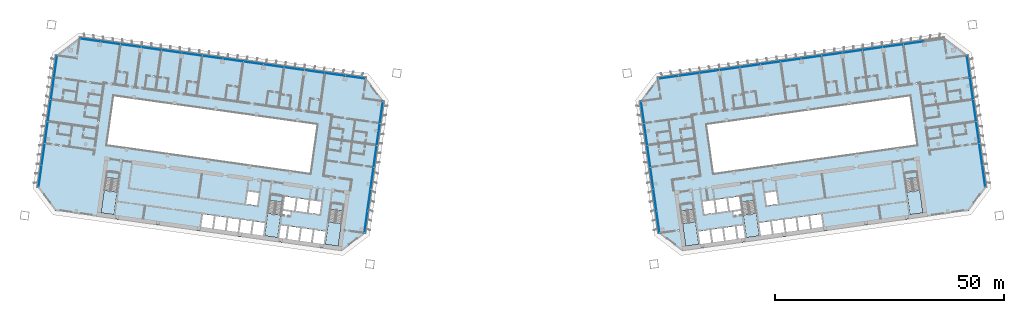
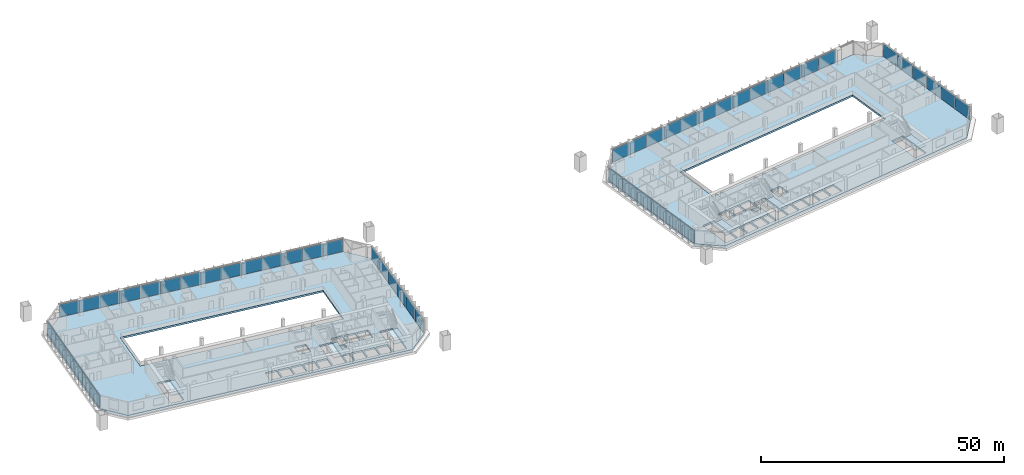
# One storey, part 12 of 25: 51 plates, 8 slabs, 12 elements without a shape of their own.
"""IFC4 building model written with IfcOpenShell, lengths in metres."""

from ifc_helpers import new_model, si_unit, direction, frame, origin, origin_2d, place, context, subcontext, project, spatial, polyline, rectangle, outline, extrude, material, layer, layer_set, type_object, element, aggregate, save


model = new_model("IFC4")

# Units and contexts
model_context = context("Model", 3, precision=1e-05, world=origin(), true_north=direction((0.0, 1.0)))
body_context = subcontext(model_context, "Body", "Model", "MODEL_VIEW")
ifc_project = project(units=[si_unit("LENGTHUNIT", "METRE"), si_unit("AREAUNIT", "SQUARE_METRE"), si_unit("VOLUMEUNIT", "CUBIC_METRE"), si_unit("PLANEANGLEUNIT", "RADIAN"), si_unit("MASSUNIT", "GRAM", prefix="KILO")], contexts=[model_context])

# Site, building, storey
site_placement = place(None, origin())
site = spatial("IfcSite", under=ifc_project, at=site_placement, CompositionType="ELEMENT")
building_placement = place(site_placement, origin())
building = spatial("IfcBuilding", under=site, at=building_placement, Name="Mirante Cascada Hotel Towers", CompositionType="ELEMENT")
storey_placement = place(building_placement, frame((0.0, 0.0, 73.7)))
storey = spatial("IfcBuildingStorey", under=building, at=storey_placement, Name="L15", CompositionType="ELEMENT", Elevation=73.7)

# Curtain wall, plates
ifc_material_1 = material(Name="Aluminium mullion and transom frame with clear laminated glass", Category="aluminium")
curtain_wall_type_1 = type_object("IfcCurtainWallType", Name="Ribbon curtain wall ECW1", PredefinedType="NOTDEFINED", material=ifc_material_1)
curtain_wall_1_placement = place(storey_placement, origin())
curtain_wall_1 = element("IfcCurtainWall", 1, at=curtain_wall_1_placement, inside=storey, type_object=curtain_wall_type_1, Name="Front ribbon wall T1 L15", PredefinedType="NOTDEFINED")
ifc_material_2 = material(Name="Clear laminated glass", Category="glass")
ifc_layer_1 = layer(ifc_material_2, 0.036)
ifc_layer_set_1 = layer_set([ifc_layer_1], Name="ECW1 glass panel 36")
plate_type_1 = type_object("IfcPlateType", Name="ECW1 glass panel 36", PredefinedType="CURTAIN_PANEL", material=ifc_layer_set_1)
plate_1_placement = place(storey_placement, frame((-91.9184, 25.7373, 0.1), z_axis=(0.0, 0.0, 1.0), x_axis=(0.9902681, -0.1391731, 0.0)))
plate_1 = element("IfcPlate", 2, at=plate_1_placement, type_object=plate_type_1, Name="ECW1 panel 1", PredefinedType="CURTAIN_PANEL", context=body_context, shape_type="SweptSolid", body=[
    extrude(rectangle(XDim=4.3936, YDim=0.036, at=origin_2d()), origin(), (0.0, 0.0, 1.0), 3.15),
])
plate_2_placement = place(storey_placement, frame((-87.487, 25.1145, 0.1), z_axis=(0.0, 0.0, 1.0), x_axis=(0.9902681, -0.1391731, 0.0)))
plate_2 = element("IfcPlate", 3, at=plate_2_placement, type_object=plate_type_1, Name="ECW1 panel 2", PredefinedType="CURTAIN_PANEL", context=body_context, shape_type="SweptSolid", body=[
    extrude(rectangle(XDim=4.4261, YDim=0.036, at=origin_2d()), origin(), (0.0, 0.0, 1.0), 3.15),
])
plate_3_placement = place(storey_placement, frame((-83.0396, 24.4895, 0.1), z_axis=(0.0, 0.0, 1.0), x_axis=(0.9902681, -0.1391731, 0.0)))
plate_3 = element("IfcPlate", 4, at=plate_3_placement, type_object=plate_type_1, Name="ECW1 panel 3", PredefinedType="CURTAIN_PANEL", context=body_context, shape_type="SweptSolid", body=[
    extrude(rectangle(XDim=4.4261, YDim=0.036, at=origin_2d()), origin(), (0.0, 0.0, 1.0), 3.15),
])
plate_4_placement = place(storey_placement, frame((-78.5922, 23.8644, 0.1), z_axis=(0.0, 0.0, 1.0), x_axis=(0.9902681, -0.1391731, 0.0)))
plate_4 = element("IfcPlate", 5, at=plate_4_placement, type_object=plate_type_1, Name="ECW1 panel 4", PredefinedType="CURTAIN_PANEL", context=body_context, shape_type="SweptSolid", body=[
    extrude(rectangle(XDim=4.4261, YDim=0.036, at=origin_2d()), origin(), (0.0, 0.0, 1.0), 3.15),
])
plate_5_placement = place(storey_placement, frame((-74.1448, 23.2394, 0.1), z_axis=(0.0, 0.0, 1.0), x_axis=(0.9902681, -0.1391731, 0.0)))
plate_5 = element("IfcPlate", 6, at=plate_5_placement, type_object=plate_type_1, Name="ECW1 panel 5", PredefinedType="CURTAIN_PANEL", context=body_context, shape_type="SweptSolid", body=[
    extrude(rectangle(XDim=4.4261, YDim=0.036, at=origin_2d()), origin(), (0.0, 0.0, 1.0), 3.15),
])
plate_6_placement = place(storey_placement, frame((-69.6974, 22.6144, 0.1), z_axis=(0.0, 0.0, 1.0), x_axis=(0.9902681, -0.1391731, 0.0)))
plate_6 = element("IfcPlate", 7, at=plate_6_placement, type_object=plate_type_1, Name="ECW1 panel 6", PredefinedType="CURTAIN_PANEL", context=body_context, shape_type="SweptSolid", body=[
    extrude(rectangle(XDim=4.4261, YDim=0.036, at=origin_2d()), origin(), (0.0, 0.0, 1.0), 3.15),
])
plate_7_placement = place(storey_placement, frame((-65.2499, 21.9893, 0.1), z_axis=(0.0, 0.0, 1.0), x_axis=(0.9902681, -0.1391731, 0.0)))
plate_7 = element("IfcPlate", 8, at=plate_7_placement, type_object=plate_type_1, Name="ECW1 panel 7", PredefinedType="CURTAIN_PANEL", context=body_context, shape_type="SweptSolid", body=[
    extrude(rectangle(XDim=4.4261, YDim=0.036, at=origin_2d()), origin(), (0.0, 0.0, 1.0), 3.15),
])
plate_8_placement = place(storey_placement, frame((-60.8025, 21.3643, 0.1), z_axis=(0.0, 0.0, 1.0), x_axis=(0.9902681, -0.1391731, 0.0)))
plate_8 = element("IfcPlate", 9, at=plate_8_placement, type_object=plate_type_1, Name="ECW1 panel 8", PredefinedType="CURTAIN_PANEL", context=body_context, shape_type="SweptSolid", body=[
    extrude(rectangle(XDim=4.4261, YDim=0.036, at=origin_2d()), origin(), (0.0, 0.0, 1.0), 3.15),
])
plate_9_placement = place(storey_placement, frame((-56.3551, 20.7392, 0.1), z_axis=(0.0, 0.0, 1.0), x_axis=(0.9902681, -0.1391731, 0.0)))
plate_9 = element("IfcPlate", 10, at=plate_9_placement, type_object=plate_type_1, Name="ECW1 panel 9", PredefinedType="CURTAIN_PANEL", context=body_context, shape_type="SweptSolid", body=[
    extrude(rectangle(XDim=4.4261, YDim=0.036, at=origin_2d()), origin(), (0.0, 0.0, 1.0), 3.15),
])
plate_10_placement = place(storey_placement, frame((-51.9077, 20.1142, 0.1), z_axis=(0.0, 0.0, 1.0), x_axis=(0.9902681, -0.1391731, 0.0)))
plate_10 = element("IfcPlate", 11, at=plate_10_placement, type_object=plate_type_1, Name="ECW1 panel 10", PredefinedType="CURTAIN_PANEL", context=body_context, shape_type="SweptSolid", body=[
    extrude(rectangle(XDim=4.4261, YDim=0.036, at=origin_2d()), origin(), (0.0, 0.0, 1.0), 3.15),
])
plate_11_placement = place(storey_placement, frame((-47.4603, 19.4891, 0.1), z_axis=(0.0, 0.0, 1.0), x_axis=(0.9902681, -0.1391731, 0.0)))
plate_11 = element("IfcPlate", 12, at=plate_11_placement, type_object=plate_type_1, Name="ECW1 panel 11", PredefinedType="CURTAIN_PANEL", context=body_context, shape_type="SweptSolid", body=[
    extrude(rectangle(XDim=4.4261, YDim=0.036, at=origin_2d()), origin(), (0.0, 0.0, 1.0), 3.15),
])
plate_12_placement = place(storey_placement, frame((-43.0129, 18.8641, 0.1), z_axis=(0.0, 0.0, 1.0), x_axis=(0.9902681, -0.1391731, 0.0)))
plate_12 = element("IfcPlate", 13, at=plate_12_placement, type_object=plate_type_1, Name="ECW1 panel 12", PredefinedType="CURTAIN_PANEL", context=body_context, shape_type="SweptSolid", body=[
    extrude(rectangle(XDim=4.4261, YDim=0.036, at=origin_2d()), origin(), (0.0, 0.0, 1.0), 3.15),
])
plate_13_placement = place(storey_placement, frame((-38.5654, 18.239, 0.1), z_axis=(0.0, 0.0, 1.0), x_axis=(0.9902681, -0.1391731, 0.0)))
plate_13 = element("IfcPlate", 14, at=plate_13_placement, type_object=plate_type_1, Name="ECW1 panel 13", PredefinedType="CURTAIN_PANEL", context=body_context, shape_type="SweptSolid", body=[
    extrude(rectangle(XDim=4.4261, YDim=0.036, at=origin_2d()), origin(), (0.0, 0.0, 1.0), 3.15),
])
plate_14_placement = place(storey_placement, frame((-34.1341, 17.6163, 0.1), z_axis=(0.0, 0.0, 1.0), x_axis=(0.9902681, -0.1391731, 0.0)))
plate_14 = element("IfcPlate", 15, at=plate_14_placement, type_object=plate_type_1, Name="ECW1 panel 14", PredefinedType="CURTAIN_PANEL", context=body_context, shape_type="SweptSolid", body=[
    extrude(rectangle(XDim=4.3936, YDim=0.036, at=origin_2d()), origin(), (0.0, 0.0, 1.0), 3.15),
])
aggregate(curtain_wall_1, [plate_1, plate_2, plate_3, plate_4, plate_5, plate_6, plate_7, plate_8, plate_9, plate_10, plate_11, plate_12, plate_13, plate_14])

curtain_wall_2_placement = place(storey_placement, origin())
curtain_wall_2 = element("IfcCurtainWall", 16, at=curtain_wall_2_placement, inside=storey, type_object=curtain_wall_type_1, Name="Front ribbon wall T2 L15", PredefinedType="NOTDEFINED")
plate_15_placement = place(storey_placement, frame((87.487, 25.1145, 0.1), z_axis=(0.0, 0.0, 1.0), x_axis=(-0.9902681, -0.1391731, 0.0)))
plate_15 = element("IfcPlate", 17, at=plate_15_placement, type_object=plate_type_1, Name="ECW1 panel 2", PredefinedType="CURTAIN_PANEL", context=body_context, shape_type="SweptSolid", body=[
    extrude(rectangle(XDim=4.4261, YDim=0.036, at=origin_2d()), origin(), (0.0, 0.0, 1.0), 3.15),
])
plate_16_placement = place(storey_placement, frame((83.0396, 24.4895, 0.1), z_axis=(0.0, 0.0, 1.0), x_axis=(-0.9902681, -0.1391731, 0.0)))
plate_16 = element("IfcPlate", 18, at=plate_16_placement, type_object=plate_type_1, Name="ECW1 panel 3", PredefinedType="CURTAIN_PANEL", context=body_context, shape_type="SweptSolid", body=[
    extrude(rectangle(XDim=4.4261, YDim=0.036, at=origin_2d()), origin(), (0.0, 0.0, 1.0), 3.15),
])
plate_17_placement = place(storey_placement, frame((78.5922, 23.8644, 0.1), z_axis=(0.0, 0.0, 1.0), x_axis=(-0.9902681, -0.1391731, 0.0)))
plate_17 = element("IfcPlate", 19, at=plate_17_placement, type_object=plate_type_1, Name="ECW1 panel 4", PredefinedType="CURTAIN_PANEL", context=body_context, shape_type="SweptSolid", body=[
    extrude(rectangle(XDim=4.4261, YDim=0.036, at=origin_2d()), origin(), (0.0, 0.0, 1.0), 3.15),
])
plate_18_placement = place(storey_placement, frame((74.1448, 23.2394, 0.1), z_axis=(0.0, 0.0, 1.0), x_axis=(-0.9902681, -0.1391731, 0.0)))
plate_18 = element("IfcPlate", 20, at=plate_18_placement, type_object=plate_type_1, Name="ECW1 panel 5", PredefinedType="CURTAIN_PANEL", context=body_context, shape_type="SweptSolid", body=[
    extrude(rectangle(XDim=4.4261, YDim=0.036, at=origin_2d()), origin(), (0.0, 0.0, 1.0), 3.15),
])
plate_19_placement = place(storey_placement, frame((69.6974, 22.6144, 0.1), z_axis=(0.0, 0.0, 1.0), x_axis=(-0.9902681, -0.1391731, 0.0)))
plate_19 = element("IfcPlate", 21, at=plate_19_placement, type_object=plate_type_1, Name="ECW1 panel 6", PredefinedType="CURTAIN_PANEL", context=body_context, shape_type="SweptSolid", body=[
    extrude(rectangle(XDim=4.4261, YDim=0.036, at=origin_2d()), origin(), (0.0, 0.0, 1.0), 3.15),
])
plate_20_placement = place(storey_placement, frame((65.2499, 21.9893, 0.1), z_axis=(0.0, 0.0, 1.0), x_axis=(-0.9902681, -0.1391731, 0.0)))
plate_20 = element("IfcPlate", 22, at=plate_20_placement, type_object=plate_type_1, Name="ECW1 panel 7", PredefinedType="CURTAIN_PANEL", context=body_context, shape_type="SweptSolid", body=[
    extrude(rectangle(XDim=4.4261, YDim=0.036, at=origin_2d()), origin(), (0.0, 0.0, 1.0), 3.15),
])
plate_21_placement = place(storey_placement, frame((60.8025, 21.3643, 0.1), z_axis=(0.0, 0.0, 1.0), x_axis=(-0.9902681, -0.1391731, 0.0)))
plate_21 = element("IfcPlate", 23, at=plate_21_placement, type_object=plate_type_1, Name="ECW1 panel 8", PredefinedType="CURTAIN_PANEL", context=body_context, shape_type="SweptSolid", body=[
    extrude(rectangle(XDim=4.4261, YDim=0.036, at=origin_2d()), origin(), (0.0, 0.0, 1.0), 3.15),
])
plate_22_placement = place(storey_placement, frame((56.3551, 20.7392, 0.1), z_axis=(0.0, 0.0, 1.0), x_axis=(-0.9902681, -0.1391731, 0.0)))
plate_22 = element("IfcPlate", 24, at=plate_22_placement, type_object=plate_type_1, Name="ECW1 panel 9", PredefinedType="CURTAIN_PANEL", context=body_context, shape_type="SweptSolid", body=[
    extrude(rectangle(XDim=4.4261, YDim=0.036, at=origin_2d()), origin(), (0.0, 0.0, 1.0), 3.15),
])
plate_23_placement = place(storey_placement, frame((51.9077, 20.1142, 0.1), z_axis=(0.0, 0.0, 1.0), x_axis=(-0.9902681, -0.1391731, 0.0)))
plate_23 = element("IfcPlate", 25, at=plate_23_placement, type_object=plate_type_1, Name="ECW1 panel 10", PredefinedType="CURTAIN_PANEL", context=body_context, shape_type="SweptSolid", body=[
    extrude(rectangle(XDim=4.4261, YDim=0.036, at=origin_2d()), origin(), (0.0, 0.0, 1.0), 3.15),
])
plate_24_placement = place(storey_placement, frame((47.4603, 19.4891, 0.1), z_axis=(0.0, 0.0, 1.0), x_axis=(-0.9902681, -0.1391731, 0.0)))
plate_24 = element("IfcPlate", 26, at=plate_24_placement, type_object=plate_type_1, Name="ECW1 panel 11", PredefinedType="CURTAIN_PANEL", context=body_context, shape_type="SweptSolid", body=[
    extrude(rectangle(XDim=4.4261, YDim=0.036, at=origin_2d()), origin(), (0.0, 0.0, 1.0), 3.15),
])
plate_25_placement = place(storey_placement, frame((43.0129, 18.8641, 0.1), z_axis=(0.0, 0.0, 1.0), x_axis=(-0.9902681, -0.1391731, 0.0)))
plate_25 = element("IfcPlate", 27, at=plate_25_placement, type_object=plate_type_1, Name="ECW1 panel 12", PredefinedType="CURTAIN_PANEL", context=body_context, shape_type="SweptSolid", body=[
    extrude(rectangle(XDim=4.4261, YDim=0.036, at=origin_2d()), origin(), (0.0, 0.0, 1.0), 3.15),
])
plate_26_placement = place(storey_placement, frame((38.5654, 18.239, 0.1), z_axis=(0.0, 0.0, 1.0), x_axis=(-0.9902681, -0.1391731, 0.0)))
plate_26 = element("IfcPlate", 28, at=plate_26_placement, type_object=plate_type_1, Name="ECW1 panel 13", PredefinedType="CURTAIN_PANEL", context=body_context, shape_type="SweptSolid", body=[
    extrude(rectangle(XDim=4.4261, YDim=0.036, at=origin_2d()), origin(), (0.0, 0.0, 1.0), 3.15),
])
plate_27_placement = place(storey_placement, frame((34.1341, 17.6163, 0.1), z_axis=(0.0, 0.0, 1.0), x_axis=(-0.9902681, -0.1391731, 0.0)))
plate_27 = element("IfcPlate", 29, at=plate_27_placement, type_object=plate_type_1, Name="ECW1 panel 14", PredefinedType="CURTAIN_PANEL", context=body_context, shape_type="SweptSolid", body=[
    extrude(rectangle(XDim=4.3936, YDim=0.036, at=origin_2d()), origin(), (0.0, 0.0, 1.0), 3.15),
])
aggregate(curtain_wall_2, [plate_15, plate_16, plate_17, plate_18, plate_19, plate_20, plate_21, plate_22, plate_23, plate_24, plate_25, plate_26, plate_27])

ifc_material_3 = material(Name="Aluminium mullion and transom frame with clear laminated glass", Category="aluminium")
curtain_wall_type_2 = type_object("IfcCurtainWallType", Name="End ribbon curtain wall ECW2", PredefinedType="NOTDEFINED", material=ifc_material_3)
curtain_wall_3_placement = place(storey_placement, origin())
curtain_wall_3 = element("IfcCurtainWall", 30, at=curtain_wall_3_placement, inside=storey, type_object=curtain_wall_type_2, Name="Inner end wall T1 L15", PredefinedType="NOTDEFINED")
ifc_material_4 = material(Name="Clear laminated glass", Category="glass")
ifc_layer_2 = layer(ifc_material_4, 0.034)
ifc_layer_set_2 = layer_set([ifc_layer_2], Name="ECW2 glass panel 34")
plate_type_2 = type_object("IfcPlateType", Name="ECW2 glass panel 34", PredefinedType="CURTAIN_PANEL", material=ifc_layer_set_2)
plate_28_placement = place(storey_placement, frame((-28.4763, 9.9193, 0.1), z_axis=(0.0, 0.0, 1.0), x_axis=(-0.1391731, -0.9902681, 0.0)))
plate_28 = element("IfcPlate", 31, at=plate_28_placement, type_object=plate_type_2, Name="ECW2 panel 1", PredefinedType="CURTAIN_PANEL", context=body_context, shape_type="SweptSolid", body=[
    extrude(rectangle(XDim=4.7151, YDim=0.034, at=origin_2d()), origin(), (0.0, 0.0, 1.0), 3.15),
])
plate_29_placement = place(storey_placement, frame((-29.1439, 5.1696, 0.1), z_axis=(0.0, 0.0, 1.0), x_axis=(-0.1391731, -0.9902681, 0.0)))
plate_29 = element("IfcPlate", 32, at=plate_29_placement, type_object=plate_type_2, Name="ECW2 panel 2", PredefinedType="CURTAIN_PANEL", context=body_context, shape_type="SweptSolid", body=[
    extrude(rectangle(XDim=4.7476, YDim=0.034, at=origin_2d()), origin(), (0.0, 0.0, 1.0), 3.15),
])
plate_30_placement = place(storey_placement, frame((-29.8136, 0.4038, 0.1), z_axis=(0.0, 0.0, 1.0), x_axis=(-0.1391731, -0.9902681, 0.0)))
plate_30 = element("IfcPlate", 33, at=plate_30_placement, type_object=plate_type_2, Name="ECW2 panel 3", PredefinedType="CURTAIN_PANEL", context=body_context, shape_type="SweptSolid", body=[
    extrude(rectangle(XDim=4.7476, YDim=0.034, at=origin_2d()), origin(), (0.0, 0.0, 1.0), 3.15),
])
plate_31_placement = place(storey_placement, frame((-30.4834, -4.362, 0.1), z_axis=(0.0, 0.0, 1.0), x_axis=(-0.1391731, -0.9902681, 0.0)))
plate_31 = element("IfcPlate", 34, at=plate_31_placement, type_object=plate_type_2, Name="ECW2 panel 4", PredefinedType="CURTAIN_PANEL", context=body_context, shape_type="SweptSolid", body=[
    extrude(rectangle(XDim=4.7476, YDim=0.034, at=origin_2d()), origin(), (0.0, 0.0, 1.0), 3.15),
])
plate_32_placement = place(storey_placement, frame((-31.1532, -9.1278, 0.1), z_axis=(0.0, 0.0, 1.0), x_axis=(-0.1391731, -0.9902681, 0.0)))
plate_32 = element("IfcPlate", 35, at=plate_32_placement, type_object=plate_type_2, Name="ECW2 panel 5", PredefinedType="CURTAIN_PANEL", context=body_context, shape_type="SweptSolid", body=[
    extrude(rectangle(XDim=4.7476, YDim=0.034, at=origin_2d()), origin(), (0.0, 0.0, 1.0), 3.15),
])
plate_33_placement = place(storey_placement, frame((-31.8207, -13.8775, 0.1), z_axis=(0.0, 0.0, 1.0), x_axis=(-0.1391731, -0.9902681, 0.0)))
plate_33 = element("IfcPlate", 36, at=plate_33_placement, type_object=plate_type_2, Name="ECW2 panel 6", PredefinedType="CURTAIN_PANEL", context=body_context, shape_type="SweptSolid", body=[
    extrude(rectangle(XDim=4.7151, YDim=0.034, at=origin_2d()), origin(), (0.0, 0.0, 1.0), 3.15),
])
aggregate(curtain_wall_3, [plate_28, plate_29, plate_30, plate_31, plate_32, plate_33])

curtain_wall_4_placement = place(storey_placement, origin())
curtain_wall_4 = element("IfcCurtainWall", 37, at=curtain_wall_4_placement, inside=storey, type_object=curtain_wall_type_2, Name="Outer end wall T1 L15", PredefinedType="NOTDEFINED")
plate_34_placement = place(storey_placement, frame((-102.823, -3.8988, 0.1), z_axis=(0.0, 0.0, 1.0), x_axis=(0.1391731, 0.9902681, 0.0)))
plate_34 = element("IfcPlate", 38, at=plate_34_placement, type_object=plate_type_2, Name="ECW2 panel 1", PredefinedType="CURTAIN_PANEL", context=body_context, shape_type="SweptSolid", body=[
    extrude(rectangle(XDim=4.7151, YDim=0.034, at=origin_2d()), origin(), (0.0, 0.0, 1.0), 3.15),
])
plate_35_placement = place(storey_placement, frame((-102.1554, 0.8509, 0.1), z_axis=(0.0, 0.0, 1.0), x_axis=(0.1391731, 0.9902681, 0.0)))
plate_35 = element("IfcPlate", 39, at=plate_35_placement, type_object=plate_type_2, Name="ECW2 panel 2", PredefinedType="CURTAIN_PANEL", context=body_context, shape_type="SweptSolid", body=[
    extrude(rectangle(XDim=4.7476, YDim=0.034, at=origin_2d()), origin(), (0.0, 0.0, 1.0), 3.15),
])
plate_36_placement = place(storey_placement, frame((-101.4857, 5.6167, 0.1), z_axis=(0.0, 0.0, 1.0), x_axis=(0.1391731, 0.9902681, 0.0)))
plate_36 = element("IfcPlate", 40, at=plate_36_placement, type_object=plate_type_2, Name="ECW2 panel 3", PredefinedType="CURTAIN_PANEL", context=body_context, shape_type="SweptSolid", body=[
    extrude(rectangle(XDim=4.7476, YDim=0.034, at=origin_2d()), origin(), (0.0, 0.0, 1.0), 3.15),
])
plate_37_placement = place(storey_placement, frame((-100.8159, 10.3825, 0.1), z_axis=(0.0, 0.0, 1.0), x_axis=(0.1391731, 0.9902681, 0.0)))
plate_37 = element("IfcPlate", 41, at=plate_37_placement, type_object=plate_type_2, Name="ECW2 panel 4", PredefinedType="CURTAIN_PANEL", context=body_context, shape_type="SweptSolid", body=[
    extrude(rectangle(XDim=4.7476, YDim=0.034, at=origin_2d()), origin(), (0.0, 0.0, 1.0), 3.15),
])
plate_38_placement = place(storey_placement, frame((-100.1461, 15.1483, 0.1), z_axis=(0.0, 0.0, 1.0), x_axis=(0.1391731, 0.9902681, 0.0)))
plate_38 = element("IfcPlate", 42, at=plate_38_placement, type_object=plate_type_2, Name="ECW2 panel 5", PredefinedType="CURTAIN_PANEL", context=body_context, shape_type="SweptSolid", body=[
    extrude(rectangle(XDim=4.7476, YDim=0.034, at=origin_2d()), origin(), (0.0, 0.0, 1.0), 3.15),
])
plate_39_placement = place(storey_placement, frame((-99.4786, 19.898, 0.1), z_axis=(0.0, 0.0, 1.0), x_axis=(0.1391731, 0.9902681, 0.0)))
plate_39 = element("IfcPlate", 43, at=plate_39_placement, type_object=plate_type_2, Name="ECW2 panel 6", PredefinedType="CURTAIN_PANEL", context=body_context, shape_type="SweptSolid", body=[
    extrude(rectangle(XDim=4.7151, YDim=0.034, at=origin_2d()), origin(), (0.0, 0.0, 1.0), 3.15),
])
aggregate(curtain_wall_4, [plate_34, plate_35, plate_36, plate_37, plate_38, plate_39])

curtain_wall_5_placement = place(storey_placement, origin())
curtain_wall_5 = element("IfcCurtainWall", 44, at=curtain_wall_5_placement, inside=storey, type_object=curtain_wall_type_2, Name="Inner end wall T2 L15", PredefinedType="NOTDEFINED")
plate_40_placement = place(storey_placement, frame((28.4763, 9.9193, 0.1), z_axis=(0.0, 0.0, 1.0), x_axis=(0.1391731, -0.9902681, 0.0)))
plate_40 = element("IfcPlate", 45, at=plate_40_placement, type_object=plate_type_2, Name="ECW2 panel 1", PredefinedType="CURTAIN_PANEL", context=body_context, shape_type="SweptSolid", body=[
    extrude(rectangle(XDim=4.7151, YDim=0.034, at=origin_2d()), origin(), (0.0, 0.0, 1.0), 3.15),
])
plate_41_placement = place(storey_placement, frame((29.1439, 5.1696, 0.1), z_axis=(0.0, 0.0, 1.0), x_axis=(0.1391731, -0.9902681, 0.0)))
plate_41 = element("IfcPlate", 46, at=plate_41_placement, type_object=plate_type_2, Name="ECW2 panel 2", PredefinedType="CURTAIN_PANEL", context=body_context, shape_type="SweptSolid", body=[
    extrude(rectangle(XDim=4.7476, YDim=0.034, at=origin_2d()), origin(), (0.0, 0.0, 1.0), 3.15),
])
plate_42_placement = place(storey_placement, frame((29.8136, 0.4038, 0.1), z_axis=(0.0, 0.0, 1.0), x_axis=(0.1391731, -0.9902681, 0.0)))
plate_42 = element("IfcPlate", 47, at=plate_42_placement, type_object=plate_type_2, Name="ECW2 panel 3", PredefinedType="CURTAIN_PANEL", context=body_context, shape_type="SweptSolid", body=[
    extrude(rectangle(XDim=4.7476, YDim=0.034, at=origin_2d()), origin(), (0.0, 0.0, 1.0), 3.15),
])
plate_43_placement = place(storey_placement, frame((30.4834, -4.362, 0.1), z_axis=(0.0, 0.0, 1.0), x_axis=(0.1391731, -0.9902681, 0.0)))
plate_43 = element("IfcPlate", 48, at=plate_43_placement, type_object=plate_type_2, Name="ECW2 panel 4", PredefinedType="CURTAIN_PANEL", context=body_context, shape_type="SweptSolid", body=[
    extrude(rectangle(XDim=4.7476, YDim=0.034, at=origin_2d()), origin(), (0.0, 0.0, 1.0), 3.15),
])
plate_44_placement = place(storey_placement, frame((31.1532, -9.1278, 0.1), z_axis=(0.0, 0.0, 1.0), x_axis=(0.1391731, -0.9902681, 0.0)))
plate_44 = element("IfcPlate", 49, at=plate_44_placement, type_object=plate_type_2, Name="ECW2 panel 5", PredefinedType="CURTAIN_PANEL", context=body_context, shape_type="SweptSolid", body=[
    extrude(rectangle(XDim=4.7476, YDim=0.034, at=origin_2d()), origin(), (0.0, 0.0, 1.0), 3.15),
])
plate_45_placement = place(storey_placement, frame((31.8207, -13.8775, 0.1), z_axis=(0.0, 0.0, 1.0), x_axis=(0.1391731, -0.9902681, 0.0)))
plate_45 = element("IfcPlate", 50, at=plate_45_placement, type_object=plate_type_2, Name="ECW2 panel 6", PredefinedType="CURTAIN_PANEL", context=body_context, shape_type="SweptSolid", body=[
    extrude(rectangle(XDim=4.7151, YDim=0.034, at=origin_2d()), origin(), (0.0, 0.0, 1.0), 3.15),
])
aggregate(curtain_wall_5, [plate_40, plate_41, plate_42, plate_43, plate_44, plate_45])

curtain_wall_6_placement = place(storey_placement, origin())
curtain_wall_6 = element("IfcCurtainWall", 51, at=curtain_wall_6_placement, inside=storey, type_object=curtain_wall_type_2, Name="Outer end wall T2 L15", PredefinedType="NOTDEFINED")
plate_46_placement = place(storey_placement, frame((102.823, -3.8988, 0.1), z_axis=(0.0, 0.0, 1.0), x_axis=(-0.1391731, 0.9902681, 0.0)))
plate_46 = element("IfcPlate", 52, at=plate_46_placement, type_object=plate_type_2, Name="ECW2 panel 1", PredefinedType="CURTAIN_PANEL", context=body_context, shape_type="SweptSolid", body=[
    extrude(rectangle(XDim=4.7151, YDim=0.034, at=origin_2d()), origin(), (0.0, 0.0, 1.0), 3.15),
])
plate_47_placement = place(storey_placement, frame((102.1554, 0.8509, 0.1), z_axis=(0.0, 0.0, 1.0), x_axis=(-0.1391731, 0.9902681, 0.0)))
plate_47 = element("IfcPlate", 53, at=plate_47_placement, type_object=plate_type_2, Name="ECW2 panel 2", PredefinedType="CURTAIN_PANEL", context=body_context, shape_type="SweptSolid", body=[
    extrude(rectangle(XDim=4.7476, YDim=0.034, at=origin_2d()), origin(), (0.0, 0.0, 1.0), 3.15),
])
plate_48_placement = place(storey_placement, frame((101.4857, 5.6167, 0.1), z_axis=(0.0, 0.0, 1.0), x_axis=(-0.1391731, 0.9902681, 0.0)))
plate_48 = element("IfcPlate", 54, at=plate_48_placement, type_object=plate_type_2, Name="ECW2 panel 3", PredefinedType="CURTAIN_PANEL", context=body_context, shape_type="SweptSolid", body=[
    extrude(rectangle(XDim=4.7476, YDim=0.034, at=origin_2d()), origin(), (0.0, 0.0, 1.0), 3.15),
])
plate_49_placement = place(storey_placement, frame((100.8159, 10.3825, 0.1), z_axis=(0.0, 0.0, 1.0), x_axis=(-0.1391731, 0.9902681, 0.0)))
plate_49 = element("IfcPlate", 55, at=plate_49_placement, type_object=plate_type_2, Name="ECW2 panel 4", PredefinedType="CURTAIN_PANEL", context=body_context, shape_type="SweptSolid", body=[
    extrude(rectangle(XDim=4.7476, YDim=0.034, at=origin_2d()), origin(), (0.0, 0.0, 1.0), 3.15),
])
plate_50_placement = place(storey_placement, frame((100.1461, 15.1483, 0.1), z_axis=(0.0, 0.0, 1.0), x_axis=(-0.1391731, 0.9902681, 0.0)))
plate_50 = element("IfcPlate", 56, at=plate_50_placement, type_object=plate_type_2, Name="ECW2 panel 5", PredefinedType="CURTAIN_PANEL", context=body_context, shape_type="SweptSolid", body=[
    extrude(rectangle(XDim=4.7476, YDim=0.034, at=origin_2d()), origin(), (0.0, 0.0, 1.0), 3.15),
])
plate_51_placement = place(storey_placement, frame((99.4786, 19.898, 0.1), z_axis=(0.0, 0.0, 1.0), x_axis=(-0.1391731, 0.9902681, 0.0)))
plate_51 = element("IfcPlate", 57, at=plate_51_placement, type_object=plate_type_2, Name="ECW2 panel 6", PredefinedType="CURTAIN_PANEL", context=body_context, shape_type="SweptSolid", body=[
    extrude(rectangle(XDim=4.7151, YDim=0.034, at=origin_2d()), origin(), (0.0, 0.0, 1.0), 3.15),
])
aggregate(curtain_wall_6, [plate_46, plate_47, plate_48, plate_49, plate_50, plate_51])

# Stair, slab
ifc_material_5 = material(Name="Concrete C35/45", Category="concrete")
stair_type = type_object("IfcStairType", Name="Exit stair half-turn 1350 concrete C35/45", PredefinedType="HALF_TURN_STAIR", material=ifc_material_5)
stair_1_placement = place(storey_placement, origin())
stair_1 = element("IfcStair", 58, at=stair_1_placement, inside=storey, type_object=stair_type, Name="L15 Exit stair A", PredefinedType="HALF_TURN_STAIR")
ifc_material_6 = material(Name="Concrete C35/45", Category="concrete")
ifc_layer_3 = layer(ifc_material_6, 0.2)
ifc_layer_set_3 = layer_set([ifc_layer_3], Name="Exit stair landing 200 concrete C35/45")
slab_type_1 = type_object("IfcSlabType", Name="Exit stair landing 200 concrete C35/45", PredefinedType="LANDING", material=ifc_layer_set_3)
slab_1_placement = place(storey_placement, frame((0.0, 0.0, 1.7)))
slab_1 = element("IfcSlab", 59, at=slab_1_placement, type_object=slab_type_1, Name="ST1-A landing 1", PredefinedType="LANDING", context=body_context, shape_type="SweptSolid", body=[
    extrude(outline(polyline([(-39.9987, -13.8659), (-40.6887, -18.7757), (-37.8665, -19.1723), (-37.1765, -14.2626), (-39.9987, -13.8659)])), origin(), (0.0, 0.0, 1.0), 0.2),
])
aggregate(stair_1, [slab_1])

stair_2_placement = place(storey_placement, origin())
stair_2 = element("IfcStair", 60, at=stair_2_placement, inside=storey, type_object=stair_type, Name="L15 Exit stair B", PredefinedType="HALF_TURN_STAIR")
slab_2_placement = place(storey_placement, frame((0.0, 0.0, 1.7)))
slab_2 = element("IfcSlab", 61, at=slab_2_placement, type_object=slab_type_1, Name="ST1-B landing 1", PredefinedType="LANDING", context=body_context, shape_type="SweptSolid", body=[
    extrude(outline(polyline([(-53.2188, -12.008), (-53.9088, -16.9177), (-51.0866, -17.3144), (-50.3965, -12.4046), (-53.2188, -12.008)])), origin(), (0.0, 0.0, 1.0), 0.2),
])
aggregate(stair_2, [slab_2])

stair_3_placement = place(storey_placement, origin())
stair_3 = element("IfcStair", 62, at=stair_3_placement, inside=storey, type_object=stair_type, Name="L15 Exit stair C", PredefinedType="HALF_TURN_STAIR")
slab_3_placement = place(storey_placement, frame((0.0, 0.0, 1.7)))
slab_3 = element("IfcSlab", 63, at=slab_3_placement, type_object=slab_type_1, Name="ST1-C landing 1", PredefinedType="LANDING", context=body_context, shape_type="SweptSolid", body=[
    extrude(outline(polyline([(-88.8685, -6.9977), (-89.5585, -11.9075), (-86.7362, -12.3041), (-86.0462, -7.3944), (-88.8685, -6.9977)])), origin(), (0.0, 0.0, 1.0), 0.2),
])
aggregate(stair_3, [slab_3])

stair_4_placement = place(storey_placement, origin())
stair_4 = element("IfcStair", 64, at=stair_4_placement, inside=storey, type_object=stair_type, Name="L15 Exit stair A", PredefinedType="HALF_TURN_STAIR")
slab_4_placement = place(storey_placement, frame((0.0, 0.0, 1.7)))
slab_4 = element("IfcSlab", 65, at=slab_4_placement, type_object=slab_type_1, Name="ST2-A landing 1", PredefinedType="LANDING", context=body_context, shape_type="SweptSolid", body=[
    extrude(outline(polyline([(37.1765, -14.2626), (37.8665, -19.1723), (40.6887, -18.7757), (39.9987, -13.8659), (37.1765, -14.2626)])), origin(), (0.0, 0.0, 1.0), 0.2),
])
aggregate(stair_4, [slab_4])

stair_5_placement = place(storey_placement, origin())
stair_5 = element("IfcStair", 66, at=stair_5_placement, inside=storey, type_object=stair_type, Name="L15 Exit stair B", PredefinedType="HALF_TURN_STAIR")
slab_5_placement = place(storey_placement, frame((0.0, 0.0, 1.7)))
slab_5 = element("IfcSlab", 67, at=slab_5_placement, type_object=slab_type_1, Name="ST2-B landing 1", PredefinedType="LANDING", context=body_context, shape_type="SweptSolid", body=[
    extrude(outline(polyline([(50.3965, -12.4046), (51.0866, -17.3144), (53.9088, -16.9177), (53.2188, -12.008), (50.3965, -12.4046)])), origin(), (0.0, 0.0, 1.0), 0.2),
])
aggregate(stair_5, [slab_5])

stair_6_placement = place(storey_placement, origin())
stair_6 = element("IfcStair", 68, at=stair_6_placement, inside=storey, type_object=stair_type, Name="L15 Exit stair C", PredefinedType="HALF_TURN_STAIR")
slab_6_placement = place(storey_placement, frame((0.0, 0.0, 1.7)))
slab_6 = element("IfcSlab", 69, at=slab_6_placement, type_object=slab_type_1, Name="ST2-C landing 1", PredefinedType="LANDING", context=body_context, shape_type="SweptSolid", body=[
    extrude(outline(polyline([(86.0462, -7.3944), (86.7362, -12.3041), (89.5585, -11.9075), (88.8685, -6.9977), (86.0462, -7.3944)])), origin(), (0.0, 0.0, 1.0), 0.2),
])
aggregate(stair_6, [slab_6])

# Slabs
ifc_material_7 = material(Name="Concrete C40/50", Category="concrete")
ifc_layer_4 = layer(ifc_material_7, 0.45)
ifc_layer_set_4 = layer_set([ifc_layer_4], Name="Post-tensioned flat plate 450 Concrete C40/50")
slab_type_2 = type_object("IfcSlabType", Name="Post-tensioned flat plate 450 Concrete C40/50", PredefinedType="FLOOR", material=ifc_layer_set_4)
slab_7_placement = place(storey_placement, frame((0.0, 0.0, -0.45)))
element("IfcSlab", 70, at=slab_7_placement, inside=storey, type_object=slab_type_2, Name="Floor T1 L15", PredefinedType="FLOOR", context=body_context, shape_type="SweptSolid", body=[
    extrude(outline(polyline([(-32.018, -16.3589), (-27.982, 12.3589), (-31.8119, 17.4414), (-94.1988, 26.2093), (-99.2813, 22.3794), (-103.3173, -6.3384), (-99.4874, -11.4209), (-37.1005, -20.1888), (-32.018, -16.3589)]), holes=[polyline([(-43.0718, -15.6132), (-40.5961, -15.9612), (-40.9858, -18.7339), (-43.4615, -18.386), (-43.0718, -15.6132)]), polyline([(-45.8446, -15.2236), (-43.3689, -15.5715), (-43.7586, -18.3442), (-46.2342, -17.9963), (-45.8446, -15.2236)]), polyline([(-48.6173, -14.8339), (-46.1416, -15.1818), (-46.5313, -17.9546), (-49.007, -17.6066), (-48.6173, -14.8339)]), polyline([(-50.3998, -14.5834), (-48.9144, -14.7921), (-49.3041, -17.5649), (-50.7895, -17.3561), (-50.3998, -14.5834)]), polyline([(-36.7887, -11.5037), (-37.8665, -19.1723), (-40.6887, -18.7757), (-39.611, -11.107), (-36.7887, -11.5037)]), polyline([(-49.9544, -11.4145), (-48.1472, -11.6685), (-48.2829, -12.634), (-50.0901, -12.38), (-49.9544, -11.4145)]), polyline([(-43.9775, -9.124), (-41.5018, -9.472), (-41.8915, -12.2447), (-44.3672, -11.8968), (-43.9775, -9.124)]), polyline([(-47.1399, -11.5071), (-46.7503, -8.7344), (-44.2746, -9.0823), (-44.6643, -11.855), (-47.1399, -11.5071)]), polyline([(-49.9127, -11.1174), (-49.523, -8.3447), (-47.0473, -8.6926), (-47.437, -11.4654), (-49.9127, -11.1174)]), polyline([(-56.2919, -13.7553), (-53.8162, -14.1032), (-54.2059, -16.876), (-56.6816, -16.528), (-56.2919, -13.7553)]), polyline([(-59.0646, -13.3656), (-56.589, -13.7135), (-56.9787, -16.4863), (-59.4543, -16.1383), (-59.0646, -13.3656)]), polyline([(-61.8374, -12.9759), (-59.3617, -13.3238), (-59.7514, -16.0966), (-62.2271, -15.7487), (-61.8374, -12.9759)]), polyline([(-64.6101, -12.5862), (-62.1345, -12.9342), (-62.5242, -15.7069), (-64.9998, -15.359), (-64.6101, -12.5862)]), polyline([(-67.3829, -12.1965), (-64.9072, -12.5445), (-65.2969, -15.3172), (-67.7726, -14.9693), (-67.3829, -12.1965)]), polyline([(-50.0088, -9.6457), (-51.0866, -17.3144), (-53.9088, -16.9177), (-52.8311, -9.2491), (-50.0088, -9.6457)]), polyline([(-85.6585, -4.6355), (-86.7362, -12.3041), (-89.5585, -11.9075), (-88.4807, -4.2388), (-85.6585, -4.6355)]), polyline([(-57.9834, -9.9832), (-57.5937, -7.2104), (-55.118, -7.5583), (-55.5077, -10.3311), (-57.9834, -9.9832)]), polyline([(-88.4039, 2.7747), (-86.873, 13.6677), (-42.3109, 7.4049), (-43.8418, -3.4881), (-88.4039, 2.7747)])]), origin(), (0.0, 0.0, 1.0), 0.45),
])
slab_8_placement = place(storey_placement, frame((0.0, 0.0, -0.45)))
element("IfcSlab", 71, at=slab_8_placement, inside=storey, type_object=slab_type_2, Name="Floor T2 L15", PredefinedType="FLOOR", context=body_context, shape_type="SweptSolid", body=[
    extrude(outline(polyline([(32.018, -16.3589), (27.982, 12.3589), (31.8119, 17.4414), (94.1988, 26.2093), (99.2813, 22.3794), (103.3173, -6.3384), (99.4874, -11.4209), (37.1005, -20.1888), (32.018, -16.3589)]), holes=[polyline([(43.0718, -15.6132), (40.5961, -15.9612), (40.9858, -18.7339), (43.4615, -18.386), (43.0718, -15.6132)]), polyline([(45.8446, -15.2236), (43.3689, -15.5715), (43.7586, -18.3442), (46.2342, -17.9963), (45.8446, -15.2236)]), polyline([(48.6173, -14.8339), (46.1416, -15.1818), (46.5313, -17.9546), (49.007, -17.6066), (48.6173, -14.8339)]), polyline([(50.3998, -14.5834), (48.9144, -14.7921), (49.3041, -17.5649), (50.7895, -17.3561), (50.3998, -14.5834)]), polyline([(37.8665, -19.1723), (40.6887, -18.7757), (39.611, -11.107), (36.7887, -11.5037), (37.8665, -19.1723)]), polyline([(49.9544, -11.4145), (48.1472, -11.6685), (48.2829, -12.634), (50.0901, -12.38), (49.9544, -11.4145)]), polyline([(43.9775, -9.124), (41.5018, -9.472), (41.8915, -12.2447), (44.3672, -11.8968), (43.9775, -9.124)]), polyline([(47.1399, -11.5071), (46.7503, -8.7344), (44.2746, -9.0823), (44.6643, -11.855), (47.1399, -11.5071)]), polyline([(49.9127, -11.1174), (49.523, -8.3447), (47.0473, -8.6926), (47.437, -11.4654), (49.9127, -11.1174)]), polyline([(56.2919, -13.7553), (53.8162, -14.1032), (54.2059, -16.876), (56.6816, -16.528), (56.2919, -13.7553)]), polyline([(59.0646, -13.3656), (56.589, -13.7135), (56.9787, -16.4863), (59.4543, -16.1383), (59.0646, -13.3656)]), polyline([(61.8374, -12.9759), (59.3617, -13.3238), (59.7514, -16.0966), (62.2271, -15.7487), (61.8374, -12.9759)]), polyline([(64.6101, -12.5862), (62.1345, -12.9342), (62.5242, -15.7069), (64.9998, -15.359), (64.6101, -12.5862)]), polyline([(67.3829, -12.1965), (64.9072, -12.5445), (65.2969, -15.3172), (67.7726, -14.9693), (67.3829, -12.1965)]), polyline([(51.0866, -17.3144), (53.9088, -16.9177), (52.8311, -9.2491), (50.0088, -9.6457), (51.0866, -17.3144)]), polyline([(86.7362, -12.3041), (89.5585, -11.9075), (88.4807, -4.2388), (85.6585, -4.6355), (86.7362, -12.3041)]), polyline([(57.9834, -9.9832), (57.5937, -7.2104), (55.118, -7.5583), (55.5077, -10.3311), (57.9834, -9.9832)]), polyline([(88.4039, 2.7747), (86.873, 13.6677), (42.3109, 7.4049), (43.8418, -3.4881), (88.4039, 2.7747)])]), origin(), (0.0, 0.0, 1.0), 0.45),
])

save(model, "model.ifc")
